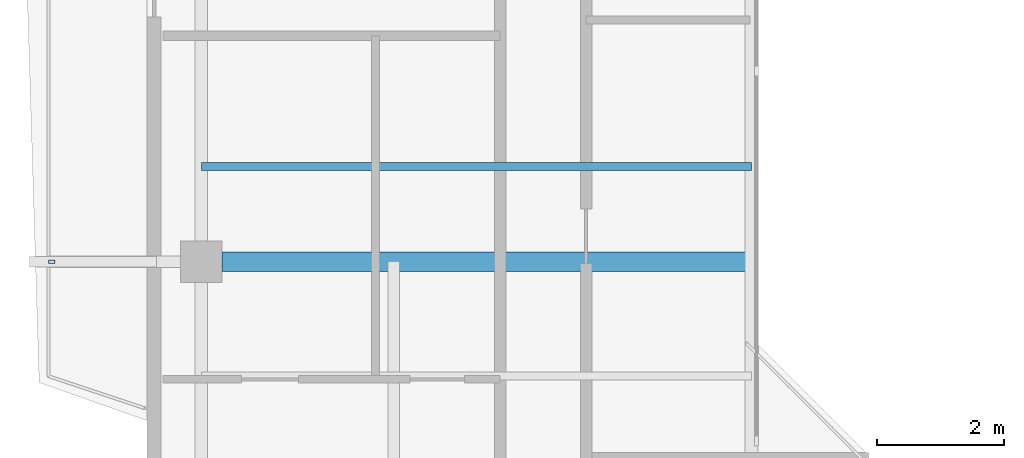
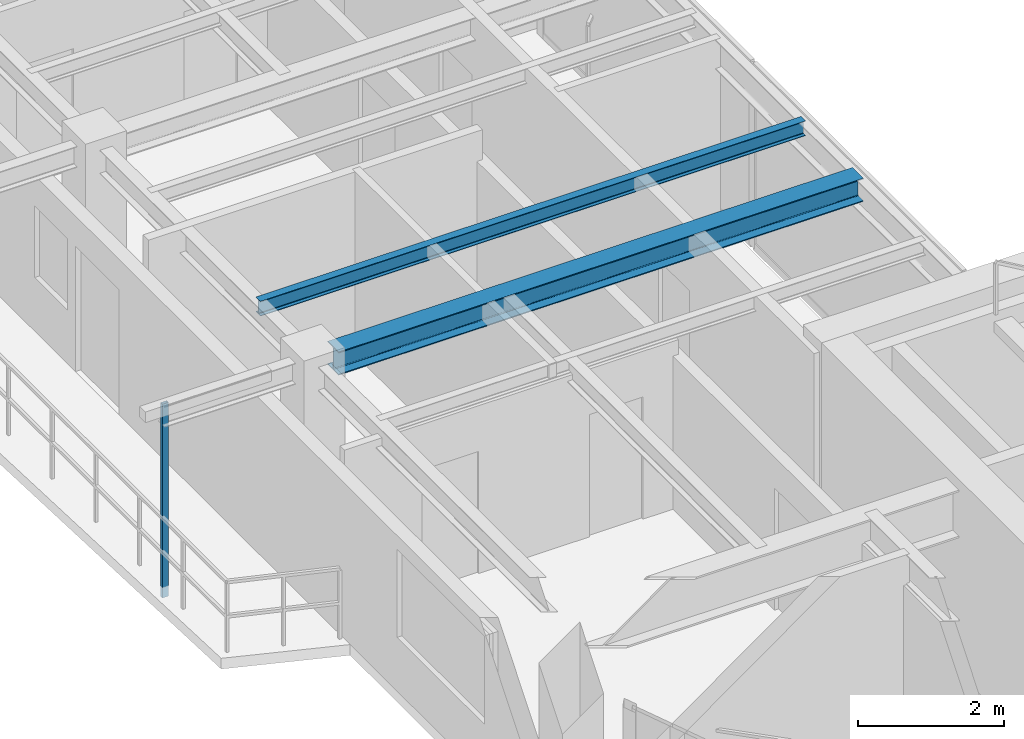
# One storey, part 3 of 14: 2 beams, 1 member.
"""IFC4 building model written with IfcOpenShell, lengths in metres."""

from ifc_helpers import new_model, si_unit, direction, frame, origin, origin_2d, place, context, subcontext, project, spatial, hollow_rectangle, i_section, extrude, source, transform, mapped, material, material_profile, profile_set, type_object, element, save


model = new_model("IFC4")

# Units and contexts
model_context = context("Model", 3, precision=1e-05, world=origin(), true_north=direction((0.0, 1.0)))
body_context = subcontext(model_context, "Body", "Model", "MODEL_VIEW")
ifc_project = project(units=[si_unit("LENGTHUNIT", "METRE"), si_unit("AREAUNIT", "SQUARE_METRE"), si_unit("VOLUMEUNIT", "CUBIC_METRE"), si_unit("PLANEANGLEUNIT", "RADIAN"), si_unit("MASSUNIT", "GRAM", prefix="KILO"), si_unit("THERMODYNAMICTEMPERATUREUNIT", "KELVIN"), si_unit("POWERUNIT", "WATT")], contexts=[model_context])

# Site, building, storey
site_placement = place(None, origin())
site = spatial("IfcSite", under=ifc_project, at=site_placement, CompositionType="ELEMENT")
building_placement = place(site_placement, origin())
building = spatial("IfcBuilding", under=site, at=building_placement, Name="Qiaomeng Ring Towers", CompositionType="ELEMENT")
storey_placement = place(building_placement, frame((0.0, 0.0, 247.0)))
storey = spatial("IfcBuildingStorey", under=building, at=storey_placement, Name="L72", CompositionType="ELEMENT", Elevation=247.0)

# Beams
ifc_material_1 = material(Name="Steel Q355B", Category="steel")
ifc_material_profile_1 = material_profile(ifc_material_1, i_section(OverallWidth=0.300048828125, OverallDepth=0.389892578125, WebThickness=0.010009765625, FlangeThickness=0.01611328125, FilletRadius=0.02197265625, at=origin_2d()), Name="HM 390x300x10x16")
ifc_profile_set_1 = profile_set([ifc_material_profile_1], Name="Steel Q355B")
beam_type_1 = type_object("IfcBeamType", Name="STR-BM-HM390", PredefinedType="BEAM", material=ifc_profile_set_1)
shared_shape_1 = source(origin(), body_context, "Body", "SweptSolid", [
    extrude(i_section(OverallWidth=0.300048828125, OverallDepth=0.389892578125, WebThickness=0.010009765625, FlangeThickness=0.01611328125, FilletRadius=0.02197265625, at=origin_2d()), origin(), (0.0, 0.0, 1.0), 8.325927734375),
])
beam_1_placement = place(storey_placement, frame((4.47412109375, 20.0, 2.875), z_axis=(1.0, 0.0, 0.0), x_axis=(0.0, 1.0, 0.0)))
element("IfcBeam", 1, at=beam_1_placement, inside=storey, type_object=beam_type_1, Name="L72 beam STR-BM-L72-T1-RAD-W2", PredefinedType="BEAM", context=body_context, shape_type="MappedRepresentation", body=[
    mapped(shared_shape_1, transform((0.0, 0.0, 0.0), x_axis=(1.0, 0.0, 0.0), y_axis=(0.0, 1.0, 0.0), z_axis=(0.0, 0.0, 1.0), scale=1.0)),
])
ifc_material_profile_2 = material_profile(ifc_material_1, i_section(OverallWidth=0.125, OverallDepth=0.25, WebThickness=0.006103515625, FlangeThickness=0.009033203125, FilletRadius=0.011962890625, at=origin_2d()), Name="HN 250x125x6x9")
ifc_profile_set_2 = profile_set([ifc_material_profile_2], Name="Steel Q355B")
beam_type_2 = type_object("IfcBeamType", Name="STR-BM-HN250", PredefinedType="JOIST", material=ifc_profile_set_2)
shared_shape_2 = source(origin(), body_context, "Body", "SweptSolid", [
    extrude(i_section(OverallWidth=0.125, OverallDepth=0.25, WebThickness=0.006103515625, FlangeThickness=0.009033203125, FilletRadius=0.011962890625, at=origin_2d()), origin(), (0.0, 0.0, 1.0), 8.650146484375),
])
beam_2_placement = place(storey_placement, frame((4.14990234375, 21.5, 2.945068359375), z_axis=(1.0, 0.0, 0.0), x_axis=(0.0, 1.0, 0.0)))
element("IfcBeam", 2, at=beam_2_placement, inside=storey, type_object=beam_type_2, Name="L72 beam STR-JST-L72-T1W-2", PredefinedType="JOIST", context=body_context, shape_type="MappedRepresentation", body=[
    mapped(shared_shape_2, transform((0.0, 0.0, 0.0), x_axis=(1.0, 0.0, 0.0), y_axis=(0.0, 1.0, 0.0), z_axis=(0.0, 0.0, 1.0), scale=1.0)),
])

# Member
ifc_material_2 = material(Name="Stainless steel 316", Category="steel")
ifc_material_profile_3 = material_profile(ifc_material_2, hollow_rectangle(XDim=0.050048828125, YDim=0.10009765625, WallThickness=0.00390625, at=origin_2d()), Name="SS TRELLIS 100x50")
ifc_profile_set_3 = profile_set([ifc_material_profile_3], Name="Stainless steel 316")
member_type = type_object("IfcMemberType", Name="ARC-TR-POST2", PredefinedType="STUD", material=ifc_profile_set_3)
shared_shape_3 = source(origin(), body_context, "Body", "SweptSolid", [
    extrude(hollow_rectangle(XDim=0.050048828125, YDim=0.10009765625, WallThickness=0.00390625, at=origin_2d()), origin(), (0.0, 0.0, 1.0), 3.25),
])
member_placement = place(storey_placement, frame((1.800048828125, 20.0, -0.179931640625), z_axis=(0.0, 0.0, 1.0), x_axis=(0.0, 1.0, 0.0)))
element("IfcMember", 3, at=member_placement, inside=storey, type_object=member_type, Name="L72 Outer Ventilated Trellis Post W", PredefinedType="STUD", context=body_context, shape_type="MappedRepresentation", body=[
    mapped(shared_shape_3, transform((0.0, 0.0, 0.0), x_axis=(1.0, 0.0, 0.0), y_axis=(0.0, 1.0, 0.0), z_axis=(0.0, 0.0, 1.0), scale=1.0)),
])

save(model, "model.ifc")
